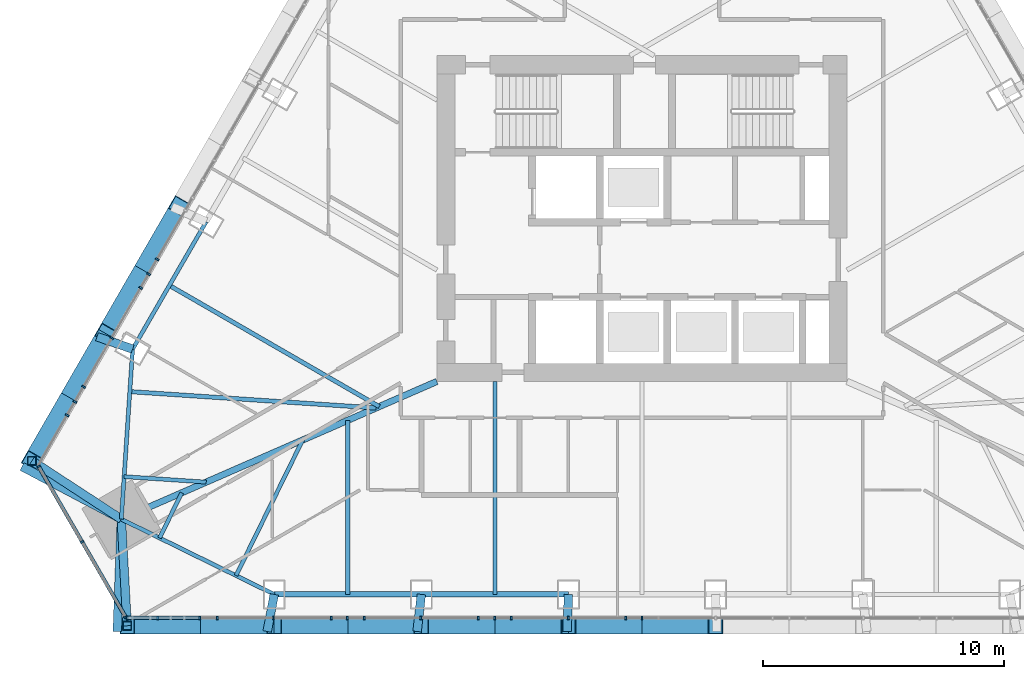
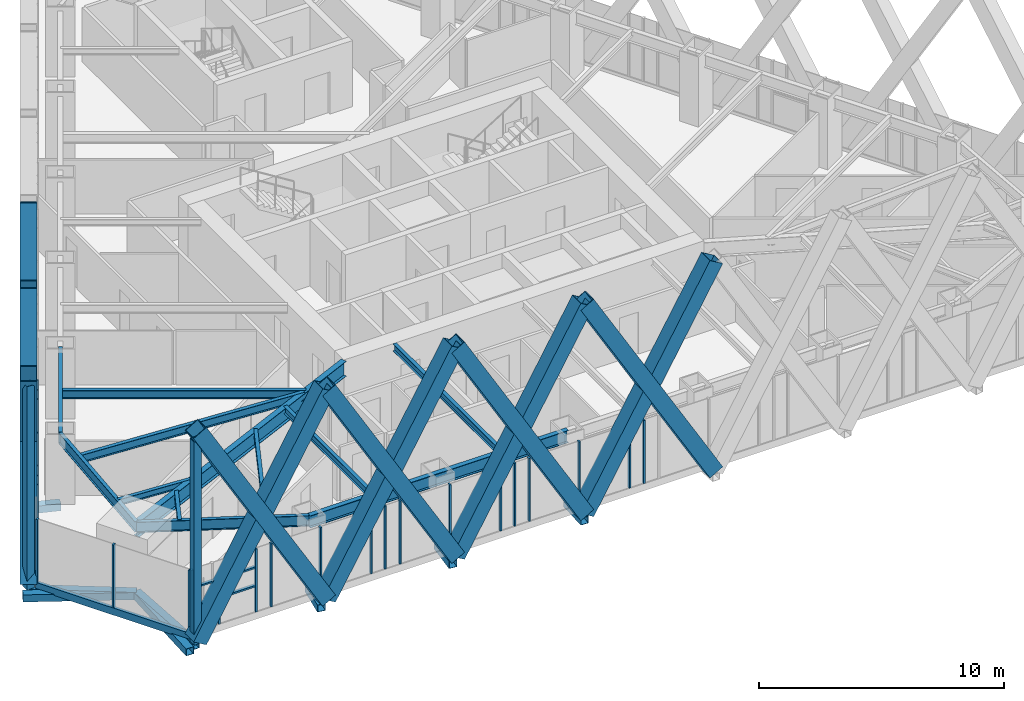
# One storey, part 2 of 23: 50 members, 12 beams, 3 elements without a shape of their own.
"""IFC4 building model written with IfcOpenShell, lengths in metres."""

import ifcopenshell
import ifcopenshell.guid

model = None  # the IFC model being written
_history = None  # IfcOwnerHistory: only IFC2X3 demands one
_inside = {}  # id of a spatial element -> (the spatial element, [elements in it])
_under = {}  # id of a project, library or spatial element -> (it, [spatial elements below it])
_declared = {}  # id of a project -> (the project, [libraries it declares])
_typed = {}  # id of a type object -> (the type object, [elements of that type])
_made_of = {}  # id of a material, layer set ... -> (it, [elements and type objects made of it])


def new_model(schema):
    """Start an empty IFC model of exactly this schema.

    Asked for "IFC4X3", IfcOpenShell would pick the latest addendum, in which some entities
    have other attributes; the version numbers below select the first issue.
    IFC2X3 requires an IfcOwnerHistory on every rooted entity: one is made here for all.
    """
    global model, _history
    if schema == "IFC4X3":
        model = ifcopenshell.file(schema_version=(4, 3, 0, 0))
    else:
        model = ifcopenshell.file(schema=schema)
    _inside.clear()
    _under.clear()
    _declared.clear()
    _typed.clear()
    _made_of.clear()
    _history = None
    if model.schema == "IFC2X3":
        org = make("IfcOrganization", Name="unknown")
        user = make(
            "IfcPersonAndOrganization",
            ThePerson=make("IfcPerson", FamilyName="unknown"),
            TheOrganization=org,
        )
        app = make(
            "IfcApplication",
            ApplicationDeveloper=org,
            Version="unknown",
            ApplicationFullName="unknown",
            ApplicationIdentifier="unknown",
        )
        _history = make(
            "IfcOwnerHistory",
            OwningUser=user,
            OwningApplication=app,
            ChangeAction="ADDED",
            CreationDate=0,
        )
    return model


def make(cls, **values):
    """One entity of the class cls with the attributes given. An attribute that is None is left unset."""
    return model.create_entity(
        cls, **{name: value for name, value in values.items() if value is not None}
    )


def rooted(cls, **values):
    """An entity with a GlobalId (a new one), such as an element, a storey or a relation."""
    return make(cls, GlobalId=ifcopenshell.guid.new(), OwnerHistory=_history, **values)


def si_unit(unit_type, name, prefix=None):
    """IfcSIUnit, for example si_unit("LENGTHUNIT", "METRE", prefix="MILLI")."""
    return make("IfcSIUnit", UnitType=unit_type, Prefix=prefix, Name=name)


def assignment(units):
    """IfcUnitAssignment: the units of a project."""
    return None if units is None else make("IfcUnitAssignment", Units=units)


def point(xyz):
    """IfcCartesianPoint."""
    return None if xyz is None else make("IfcCartesianPoint", Coordinates=xyz)


def direction(xyz):
    """IfcDirection."""
    return None if xyz is None else make("IfcDirection", DirectionRatios=xyz)


def frame(location, z_axis=None, x_axis=None):
    """IfcAxis2Placement3D, a coordinate frame: its origin and axes. An axis left out is left unset."""
    return make(
        "IfcAxis2Placement3D",
        Location=point(location),
        Axis=direction(z_axis),
        RefDirection=direction(x_axis),
    )


def frame_2d(location, x_axis=None):
    """IfcAxis2Placement2D, a coordinate frame in the plane: its origin and x axis."""
    return make(
        "IfcAxis2Placement2D", Location=point(location), RefDirection=direction(x_axis)
    )


def origin():
    """The frame at (0, 0, 0) with its axes left unset."""
    return frame((0.0, 0.0, 0.0))


def origin_2d():
    """The frame at (0, 0) in the plane with its x axis left unset."""
    return frame_2d((0.0, 0.0))


def place(relative_to, where):
    """IfcLocalPlacement: puts the frame where relative to a parent placement (None: the world)."""
    return make(
        "IfcLocalPlacement", PlacementRelTo=relative_to, RelativePlacement=where
    )


def context(
    kind, dimensions, precision=None, world=None, true_north=None, identifier=None
):
    """IfcGeometricRepresentationContext, for example the 3D "Model" context."""
    return make(
        "IfcGeometricRepresentationContext",
        ContextIdentifier=identifier,
        ContextType=kind,
        CoordinateSpaceDimension=dimensions,
        Precision=precision,
        WorldCoordinateSystem=world,
        TrueNorth=true_north,
    )


def subcontext(parent, identifier, kind, view, scale=None):
    """IfcGeometricRepresentationSubContext, for example "Body" below "Model"."""
    return make(
        "IfcGeometricRepresentationSubContext",
        ContextIdentifier=identifier,
        ContextType=kind,
        ParentContext=parent,
        TargetScale=scale,
        TargetView=view,
    )


def project(units=None, contexts=None):
    """IfcProject with its units and contexts."""
    return rooted(
        "IfcProject",
        Name="project",
        RepresentationContexts=contexts,
        UnitsInContext=assignment(units),
    )


def spatial(cls, under=None, at=None, **own):
    """A site, building, storey or space (cls), placed at a placement, below another one or the project."""
    s = rooted(cls, ObjectPlacement=at, **own)
    if under is not None:
        _under.setdefault(under.id(), (under, []))[1].append(s)
    return s


def profile(cls, at=None, kind="AREA", **sizes):
    """A parametric profile (cls). Its sizes go by their IFC names, for example OverallWidth=200.0."""
    return make(cls, ProfileType=kind, Position=at, **sizes)


def rectangle(**sizes):
    """IfcRectangleProfileDef."""
    return profile("IfcRectangleProfileDef", **sizes)


def hollow_rectangle(**sizes):
    """IfcRectangleHollowProfileDef."""
    return profile("IfcRectangleHollowProfileDef", **sizes)


def i_section(**sizes):
    """IfcIShapeProfileDef."""
    return profile("IfcIShapeProfileDef", **sizes)


def extrude(swept, where, along, depth):
    """IfcExtrudedAreaSolid: the profile swept, set in the frame where, extruded along a direction by depth."""
    return make(
        "IfcExtrudedAreaSolid",
        SweptArea=swept,
        Position=where,
        ExtrudedDirection=direction(along),
        Depth=depth,
    )


def shape(context_of_items, identifier, shape_type, items):
    """IfcShapeRepresentation: the items that make up one representation, for example the "Body"."""
    return make(
        "IfcShapeRepresentation",
        ContextOfItems=context_of_items,
        RepresentationIdentifier=identifier,
        RepresentationType=shape_type,
        Items=items,
    )


def material(Name=None, Category=None):
    """IfcMaterial."""
    return make("IfcMaterial", Name=Name, Category=Category)


def layer(
    of_material, thickness, ventilated=None, Name=None, Category=None, Priority=None
):
    """IfcMaterialLayer: one layer of a wall or slab, of a material (None: an air gap)."""
    return make(
        "IfcMaterialLayer",
        Material=of_material,
        LayerThickness=thickness,
        IsVentilated=ventilated,
        Name=Name,
        Category=Category,
        Priority=Priority,
    )


def layer_set(layers, Name=None):
    """IfcMaterialLayerSet."""
    return make("IfcMaterialLayerSet", MaterialLayers=layers, LayerSetName=Name)


def material_profile(
    of_material, cross_section, Name=None, Category=None, Priority=None
):
    """IfcMaterialProfile: a cross section and its material."""
    return make(
        "IfcMaterialProfile",
        Name=Name,
        Material=of_material,
        Profile=cross_section,
        Priority=Priority,
        Category=Category,
    )


def profile_set(profiles, Name=None, composite=None):
    """IfcMaterialProfileSet."""
    return make(
        "IfcMaterialProfileSet",
        Name=Name,
        MaterialProfiles=profiles,
        CompositeProfile=composite,
    )


def made_of(thing, what):
    """Note that an element or type object is made of a material, layer set ...; save() writes the relation."""
    if what is not None:
        _made_of.setdefault(what.id(), (what, []))[1].append(thing)
    return thing


def type_object(cls, material=None, **own):
    """A type object (cls), such as IfcWallType, which elements share."""
    return made_of(rooted(cls, **own), material)


def element(
    cls,
    number,
    at=None,
    inside=None,
    cuts=None,
    type_object=None,
    material=None,
    context=None,
    identifier="Body",
    shape_type=None,
    held_by="IfcProductDefinitionShape",
    body=None,
    shapes=None,
    **own,
):
    """One element of the class cls, such as IfcWall. Its Tag is "e" and its number.

    at: its placement. inside: the storey or other place that contains it. cuts: it is an
    opening in that element (IfcRelVoidsElement). A single representation is given by context,
    identifier, shape_type and body (its items); several are given by shapes. held_by: the class
    of the entity that holds the representations. save() writes the other relations.
    """
    e = rooted(cls, Tag="e%d" % number, ObjectPlacement=at, **own)
    if body is not None:
        shapes = [shape(context, identifier, shape_type, body)]
    if shapes is not None:
        e.Representation = make(held_by, Representations=shapes)
    if inside is not None:
        _inside.setdefault(inside.id(), (inside, []))[1].append(e)
    if cuts is not None:
        rooted(
            "IfcRelVoidsElement", RelatingBuildingElement=cuts, RelatedOpeningElement=e
        )
    if type_object is not None:
        _typed.setdefault(type_object.id(), (type_object, []))[1].append(e)
    return made_of(e, material)


def aggregate(whole, parts):
    """IfcRelAggregates: a whole, such as a stair, and the parts it consists of."""
    return rooted("IfcRelAggregates", RelatingObject=whole, RelatedObjects=parts)


def save(model, path):
    """Write the relations noted so far, then the file.

    IfcRelAggregates (storeys below a building ...), IfcRelContainedInSpatialStructure (elements
    in a storey), IfcRelDefinesByType, IfcRelAssociatesMaterial and IfcRelDeclares: one each for
    every whole, place, type object, material and project.
    """
    for whole, parts in _under.values():
        aggregate(whole, parts)
    for where, things in _inside.values():
        rooted(
            "IfcRelContainedInSpatialStructure",
            RelatedElements=things,
            RelatingStructure=where,
        )
    for kind, things in _typed.values():
        rooted("IfcRelDefinesByType", RelatedObjects=things, RelatingType=kind)
    for what, things in _made_of.values():
        rooted("IfcRelAssociatesMaterial", RelatedObjects=things, RelatingMaterial=what)
    for by, libraries in _declared.values():
        rooted("IfcRelDeclares", RelatingContext=by, RelatedDefinitions=libraries)
    model.write(path)


model = new_model("IFC4")

# Units and contexts
model_context = context("Model", 3, precision=1e-05, world=origin(), true_north=direction((0.0, 1.0)))
body_context = subcontext(model_context, "Body", "Model", "MODEL_VIEW")
ifc_project = project(units=[si_unit("LENGTHUNIT", "METRE"), si_unit("AREAUNIT", "SQUARE_METRE"), si_unit("VOLUMEUNIT", "CUBIC_METRE"), si_unit("PLANEANGLEUNIT", "RADIAN"), si_unit("MASSUNIT", "GRAM", prefix="KILO")], contexts=[model_context])

# Site, building, storey
site_placement = place(None, origin())
site = spatial("IfcSite", under=ifc_project, at=site_placement, CompositionType="ELEMENT")
building_placement = place(site_placement, origin())
building = spatial("IfcBuilding", under=site, at=building_placement, Name="Firuza Gate Tower and Library", CompositionType="ELEMENT")
storey_placement = place(building_placement, frame((0.0, 0.0, 302.10009765625)))
storey = spatial("IfcBuildingStorey", under=building, at=storey_placement, Name="L73", CompositionType="ELEMENT", Elevation=302.10009765625)

# Members
ifc_material_1 = material(Name="Steel S355", Category="steel")
ifc_material_profile_1 = material_profile(ifc_material_1, hollow_rectangle(XDim=0.699951171875, YDim=0.699951171875, WallThickness=0.030029296875, at=origin_2d()))
ifc_profile_set_1 = profile_set([ifc_material_profile_1], Name="Steel S355")
member_type_1 = type_object("IfcMemberType", Name="BU700x700x30 Lattice brace", PredefinedType="BRACE", material=ifc_profile_set_1)
for number, where, z_axis, x_axis, name in (
    (1, (53.6640625, 58.124755859375, 0.0), (0.502084580661, 0.0, 0.864818520768), (0.0, 1.0, 0.0), "Lattice brace S 19.1R"),
    (2, (59.760009765625, 58.124755859375, 0.0), (-0.502084580661, 0.0, 0.864818520768), (0.0, -1.0, 0.0), "Lattice brace S 19.1L"),
    (3, (59.760009765625, 58.124755859375, 0.0), (0.502084580661, 0.0, 0.864818520768), (0.0, 1.0, 0.0), "Lattice brace S 19.2R"),
    (4, (65.85595703125, 58.124755859375, 0.0), (-0.502084580661, 0.0, 0.864818520768), (0.0, -1.0, 0.0), "Lattice brace S 19.2L"),
    (5, (65.85595703125, 58.124755859375, 0.0), (0.502084580661, 0.0, 0.864818520768), (0.0, 1.0, 0.0), "Lattice brace S 19.3R"),
    (6, (71.951904296875, 58.124755859375, 0.0), (-0.502084580661, 0.0, 0.864818520768), (0.0, -1.0, 0.0), "Lattice brace S 19.3L"),
    (7, (71.951904296875, 58.124755859375, 0.0), (0.502099619666, 0.0, 0.864809789451), (0.0, 1.0, 0.0), "Lattice brace S 19.4R"),
    (8, (78.048095703125, 58.124755859375, 0.0), (-0.502099619666, 0.0, 0.864809789451), (0.0, -1.0, 0.0), "Lattice brace S 19.4L"),
    (9, (55.8134765625, 75.518798828125, 0.0), (-0.251032405124, -0.434822551138, 0.864819102818), (0.866036194175, -0.49998131003, 0.0), "Lattice brace W 19.6R"),
    (10, (52.765625, 70.239501953125, 0.0), (0.251032405124, 0.434822551138, 0.864819102818), (-0.866036194175, 0.49998131003, 0.0), "Lattice brace W 19.6L"),
    (11, (52.765625, 70.239501953125, 0.0), (-0.251051246141, -0.434820356151, 0.864814737206), (0.866018852375, -0.500011347202, 0.0), "Lattice brace W 19.7R"),
    (12, (49.717529296875, 64.960205078125, 0.0), (0.251051246141, 0.434820356151, 0.864814737206), (-0.866018852375, 0.500011347202, 0.0), "Lattice brace W 19.7L"),
):
    element("IfcMember", number, at=place(storey_placement, frame(where, z_axis=z_axis, x_axis=x_axis)), inside=storey, type_object=member_type_1, Name=name, PredefinedType="BRACE", context=body_context, shape_type="SweptSolid", body=[
        extrude(hollow_rectangle(XDim=0.699951171875, YDim=0.699951171875, WallThickness=0.030029296875, at=origin_2d()), origin(), (0.0, 0.0, 1.0), 12.141357421875),
    ])

# Curtain wall, members
ifc_material_2 = material(Name="Aluminium 6063-T6", Category="aluminium")
ifc_layer_1 = layer(ifc_material_2, 0.14990234375)
ifc_layer_set_1 = layer_set([ifc_layer_1], Name="Unitised curtain wall, residences")
curtain_wall_type_1 = type_object("IfcCurtainWallType", Name="Unitised curtain wall, residences", PredefinedType="NOTDEFINED", material=ifc_layer_set_1)
placement = place(storey_placement, origin())
curtain_wall_1 = element("IfcCurtainWall", 13, at=placement, inside=storey, type_object=curtain_wall_type_1, Name="CW3 L73 S face", PredefinedType="NOTDEFINED")
ifc_material_3 = material(Name="Aluminium 6063-T6", Category="aluminium")
ifc_material_profile_2 = material_profile(ifc_material_3, rectangle(XDim=0.14990234375, YDim=0.080078125, at=origin_2d()))
ifc_profile_set_2 = profile_set([ifc_material_profile_2], Name="Aluminium 6063-T6")
member_type_2 = type_object("IfcMemberType", Name="Curtain wall mullion 80x150", PredefinedType="MULLION", material=ifc_profile_set_2)
member_1_placement = place(storey_placement, frame((53.66064453125, 58.44970703125, 0.14990234375), z_axis=(0.0, 0.0, 1.0), x_axis=(0.0, 1.0, 0.0)))
member_1 = element("IfcMember", 14, at=member_1_placement, type_object=member_type_2, Name="Mullion", PredefinedType="MULLION", context=body_context, shape_type="SweptSolid", body=[
    extrude(rectangle(XDim=0.14990234375, YDim=0.080078125, at=origin_2d()), origin(), (0.0, 0.0, 1.0), 3.14990234375),
])
member_2_placement = place(storey_placement, frame((56.6748046875, 58.44970703125, 0.14990234375), z_axis=(0.0, 0.0, 1.0), x_axis=(0.0, 1.0, 0.0)))
member_2 = element("IfcMember", 15, at=member_2_placement, type_object=member_type_2, Name="Mullion", PredefinedType="MULLION", context=body_context, shape_type="SweptSolid", body=[
    extrude(rectangle(XDim=0.14990234375, YDim=0.080078125, at=origin_2d()), origin(), (0.0, 0.0, 1.0), 3.14990234375),
])
member_3_placement = place(storey_placement, frame((59.72900390625, 58.44970703125, 0.14990234375), z_axis=(0.0, 0.0, 1.0), x_axis=(0.0, 1.0, 0.0)))
member_3 = element("IfcMember", 16, at=member_3_placement, type_object=member_type_2, Name="Mullion", PredefinedType="MULLION", context=body_context, shape_type="SweptSolid", body=[
    extrude(rectangle(XDim=0.14990234375, YDim=0.080078125, at=origin_2d()), origin(), (0.0, 0.0, 1.0), 3.14990234375),
])
member_4_placement = place(storey_placement, frame((62.783203125, 58.44970703125, 0.14990234375), z_axis=(0.0, 0.0, 1.0), x_axis=(0.0, 1.0, 0.0)))
member_4 = element("IfcMember", 17, at=member_4_placement, type_object=member_type_2, Name="Mullion", PredefinedType="MULLION", context=body_context, shape_type="SweptSolid", body=[
    extrude(rectangle(XDim=0.14990234375, YDim=0.080078125, at=origin_2d()), origin(), (0.0, 0.0, 1.0), 3.14990234375),
])
member_5_placement = place(storey_placement, frame((65.83740234375, 58.44970703125, 0.14990234375), z_axis=(0.0, 0.0, 1.0), x_axis=(0.0, 1.0, 0.0)))
member_5 = element("IfcMember", 18, at=member_5_placement, type_object=member_type_2, Name="Mullion", PredefinedType="MULLION", context=body_context, shape_type="SweptSolid", body=[
    extrude(rectangle(XDim=0.14990234375, YDim=0.080078125, at=origin_2d()), origin(), (0.0, 0.0, 1.0), 3.14990234375),
])
member_6_placement = place(storey_placement, frame((68.8916015625, 58.44970703125, 0.14990234375), z_axis=(0.0, 0.0, 1.0), x_axis=(0.0, 1.0, 0.0)))
member_6 = element("IfcMember", 19, at=member_6_placement, type_object=member_type_2, Name="Mullion", PredefinedType="MULLION", context=body_context, shape_type="SweptSolid", body=[
    extrude(rectangle(XDim=0.14990234375, YDim=0.080078125, at=origin_2d()), origin(), (0.0, 0.0, 1.0), 3.14990234375),
])
member_7_placement = place(storey_placement, frame((71.94580078125, 58.44970703125, 0.14990234375), z_axis=(0.0, 0.0, 1.0), x_axis=(0.0, 1.0, 0.0)))
member_7 = element("IfcMember", 20, at=member_7_placement, type_object=member_type_2, Name="Mullion", PredefinedType="MULLION", context=body_context, shape_type="SweptSolid", body=[
    extrude(rectangle(XDim=0.14990234375, YDim=0.080078125, at=origin_2d()), origin(), (0.0, 0.0, 1.0), 3.14990234375),
])
member_8_placement = place(storey_placement, frame((75.0, 58.44970703125, 0.14990234375), z_axis=(0.0, 0.0, 1.0), x_axis=(0.0, 1.0, 0.0)))
member_8 = element("IfcMember", 21, at=member_8_placement, type_object=member_type_2, Name="Mullion", PredefinedType="MULLION", context=body_context, shape_type="SweptSolid", body=[
    extrude(rectangle(XDim=0.14990234375, YDim=0.080078125, at=origin_2d()), origin(), (0.0, 0.0, 1.0), 3.14990234375),
])
member_9_placement = place(storey_placement, frame((54.932373046875, 58.44970703125, 0.14990234375), z_axis=(0.0, 0.0, 1.0), x_axis=(0.0, 1.0, 0.0)))
member_9 = element("IfcMember", 22, at=member_9_placement, type_object=member_type_2, Name="Mullion", PredefinedType="MULLION", context=body_context, shape_type="SweptSolid", body=[
    extrude(rectangle(XDim=0.14990234375, YDim=0.080078125, at=origin_2d()), origin(), (0.0, 0.0, 1.0), 1.260009765625),
])
member_10_placement = place(storey_placement, frame((57.394287109375, 58.44970703125, 0.14990234375), z_axis=(0.0, 0.0, 1.0), x_axis=(0.0, 1.0, 0.0)))
member_10 = element("IfcMember", 23, at=member_10_placement, type_object=member_type_2, Name="Mullion", PredefinedType="MULLION", context=body_context, shape_type="SweptSolid", body=[
    extrude(rectangle(XDim=0.14990234375, YDim=0.080078125, at=origin_2d()), origin(), (0.0, 0.0, 1.0), 3.14990234375),
])
member_11_placement = place(storey_placement, frame((62.12548828125, 58.44970703125, 0.14990234375), z_axis=(0.0, 0.0, 1.0), x_axis=(0.0, 1.0, 0.0)))
member_11 = element("IfcMember", 24, at=member_11_placement, type_object=member_type_2, Name="Mullion", PredefinedType="MULLION", context=body_context, shape_type="SweptSolid", body=[
    extrude(rectangle(XDim=0.14990234375, YDim=0.080078125, at=origin_2d()), origin(), (0.0, 0.0, 1.0), 3.14990234375),
])
member_12_placement = place(storey_placement, frame((63.490478515625, 58.44970703125, 0.14990234375), z_axis=(0.0, 0.0, 1.0), x_axis=(0.0, 1.0, 0.0)))
member_12 = element("IfcMember", 25, at=member_12_placement, type_object=member_type_2, Name="Mullion", PredefinedType="MULLION", context=body_context, shape_type="SweptSolid", body=[
    extrude(rectangle(XDim=0.14990234375, YDim=0.080078125, at=origin_2d()), origin(), (0.0, 0.0, 1.0), 3.14990234375),
])
member_13_placement = place(storey_placement, frame((68.2216796875, 58.44970703125, 0.14990234375), z_axis=(0.0, 0.0, 1.0), x_axis=(0.0, 1.0, 0.0)))
member_13 = element("IfcMember", 26, at=member_13_placement, type_object=member_type_2, Name="Mullion", PredefinedType="MULLION", context=body_context, shape_type="SweptSolid", body=[
    extrude(rectangle(XDim=0.14990234375, YDim=0.080078125, at=origin_2d()), origin(), (0.0, 0.0, 1.0), 3.14990234375),
])
member_14_placement = place(storey_placement, frame((69.58642578125, 58.44970703125, 0.14990234375), z_axis=(0.0, 0.0, 1.0), x_axis=(0.0, 1.0, 0.0)))
member_14 = element("IfcMember", 27, at=member_14_placement, type_object=member_type_2, Name="Mullion", PredefinedType="MULLION", context=body_context, shape_type="SweptSolid", body=[
    extrude(rectangle(XDim=0.14990234375, YDim=0.080078125, at=origin_2d()), origin(), (0.0, 0.0, 1.0), 3.14990234375),
])
member_15_placement = place(storey_placement, frame((74.317626953125, 58.44970703125, 0.14990234375), z_axis=(0.0, 0.0, 1.0), x_axis=(0.0, 1.0, 0.0)))
member_15 = element("IfcMember", 28, at=member_15_placement, type_object=member_type_2, Name="Mullion", PredefinedType="MULLION", context=body_context, shape_type="SweptSolid", body=[
    extrude(rectangle(XDim=0.14990234375, YDim=0.080078125, at=origin_2d()), origin(), (0.0, 0.0, 1.0), 3.14990234375),
])

curtain_wall_2 = element("IfcCurtainWall", 29, at=placement, inside=storey, type_object=curtain_wall_type_1, Name="CW3 L73 W face", PredefinedType="NOTDEFINED")
member_16_placement = place(storey_placement, frame((54.55859375, 72.695068359375, 0.14990234375), z_axis=(0.0, 0.0, 1.0), x_axis=(0.866025403784, -0.5, 0.0)))
member_16 = element("IfcMember", 30, at=member_16_placement, type_object=member_type_2, Name="Mullion", PredefinedType="MULLION", context=body_context, shape_type="SweptSolid", body=[
    extrude(rectangle(XDim=0.14990234375, YDim=0.080078125, at=origin_2d()), origin(), (0.0, 0.0, 1.0), 3.14990234375),
])
member_17_placement = place(storey_placement, frame((53.031494140625, 70.050048828125, 0.14990234375), z_axis=(0.0, 0.0, 1.0), x_axis=(0.866025403784, -0.5, 0.0)))
member_17 = element("IfcMember", 31, at=member_17_placement, type_object=member_type_2, Name="Mullion", PredefinedType="MULLION", context=body_context, shape_type="SweptSolid", body=[
    extrude(rectangle(XDim=0.14990234375, YDim=0.080078125, at=origin_2d()), origin(), (0.0, 0.0, 1.0), 3.14990234375),
])
member_18_placement = place(storey_placement, frame((51.50439453125, 67.405029296875, 0.14990234375), z_axis=(0.0, 0.0, 1.0), x_axis=(0.866025403784, -0.5, 0.0)))
member_18 = element("IfcMember", 32, at=member_18_placement, type_object=member_type_2, Name="Mullion", PredefinedType="MULLION", context=body_context, shape_type="SweptSolid", body=[
    extrude(rectangle(XDim=0.14990234375, YDim=0.080078125, at=origin_2d()), origin(), (0.0, 0.0, 1.0), 3.14990234375),
])
member_19_placement = place(storey_placement, frame((54.912353515625, 73.3076171875, 0.14990234375), z_axis=(0.0, 0.0, 1.0), x_axis=(0.866025403784, -0.5, 0.0)))
member_19 = element("IfcMember", 33, at=member_19_placement, type_object=member_type_2, Name="Mullion", PredefinedType="MULLION", context=body_context, shape_type="SweptSolid", body=[
    extrude(rectangle(XDim=0.14990234375, YDim=0.080078125, at=origin_2d()), origin(), (0.0, 0.0, 1.0), 3.14990234375),
])
member_20_placement = place(storey_placement, frame((54.229736328125, 72.12548828125, 0.14990234375), z_axis=(0.0, 0.0, 1.0), x_axis=(0.866025403784, -0.5, 0.0)))
member_20 = element("IfcMember", 34, at=member_20_placement, type_object=member_type_2, Name="Mullion", PredefinedType="MULLION", context=body_context, shape_type="SweptSolid", body=[
    extrude(rectangle(XDim=0.14990234375, YDim=0.080078125, at=origin_2d()), origin(), (0.0, 0.0, 1.0), 3.14990234375),
])
member_21_placement = place(storey_placement, frame((51.8642578125, 68.0283203125, 0.14990234375), z_axis=(0.0, 0.0, 1.0), x_axis=(0.866025403784, -0.5, 0.0)))
member_21 = element("IfcMember", 35, at=member_21_placement, type_object=member_type_2, Name="Mullion", PredefinedType="MULLION", context=body_context, shape_type="SweptSolid", body=[
    extrude(rectangle(XDim=0.14990234375, YDim=0.080078125, at=origin_2d()), origin(), (0.0, 0.0, 1.0), 3.14990234375),
])
member_22_placement = place(storey_placement, frame((51.181884765625, 66.84619140625, 0.14990234375), z_axis=(0.0, 0.0, 1.0), x_axis=(0.866025403784, -0.5, 0.0)))
member_22 = element("IfcMember", 36, at=member_22_placement, type_object=member_type_2, Name="Mullion", PredefinedType="MULLION", context=body_context, shape_type="SweptSolid", body=[
    extrude(rectangle(XDim=0.14990234375, YDim=0.080078125, at=origin_2d()), origin(), (0.0, 0.0, 1.0), 3.14990234375),
])
aggregate(curtain_wall_2, [member_16, member_17, member_18, member_19, member_20, member_21, member_22])

ifc_material_4 = material(Name="Aluminium 6063-T6", Category="aluminium")
ifc_layer_2 = layer(ifc_material_4, 0.14990234375)
ifc_layer_set_2 = layer_set([ifc_layer_2], Name="Corner curtain wall, chamfers")
curtain_wall_type_2 = type_object("IfcCurtainWallType", Name="Corner curtain wall, chamfers", PredefinedType="NOTDEFINED", material=ifc_layer_set_2)
curtain_wall_3 = element("IfcCurtainWall", 37, at=placement, inside=storey, type_object=curtain_wall_type_2, Name="CW4 L73 SW corner", PredefinedType="NOTDEFINED")
member_23_placement = place(storey_placement, frame((49.997314453125, 64.7255859375, 0.14990234375), z_axis=(0.0, 0.0, 1.0), x_axis=(0.866025403784, 0.5, 0.0)))
member_23 = element("IfcMember", 38, at=member_23_placement, type_object=member_type_2, Name="Mullion", PredefinedType="MULLION", context=body_context, shape_type="SweptSolid", body=[
    extrude(rectangle(XDim=0.14990234375, YDim=0.080078125, at=origin_2d()), origin(), (0.0, 0.0, 1.0), 3.14990234375),
])
member_24_placement = place(storey_placement, frame((51.799072265625, 61.60498046875, 0.14990234375), z_axis=(0.0, 0.0, 1.0), x_axis=(0.866025403784, 0.5, 0.0)))
member_24 = element("IfcMember", 39, at=member_24_placement, type_object=member_type_2, Name="Mullion", PredefinedType="MULLION", context=body_context, shape_type="SweptSolid", body=[
    extrude(rectangle(XDim=0.14990234375, YDim=0.080078125, at=origin_2d()), origin(), (0.0, 0.0, 1.0), 3.14990234375),
])
member_25_placement = place(storey_placement, frame((53.6005859375, 58.484375, 0.14990234375), z_axis=(0.0, 0.0, 1.0), x_axis=(0.866025403784, 0.5, 0.0)))
member_25 = element("IfcMember", 40, at=member_25_placement, type_object=member_type_2, Name="Mullion", PredefinedType="MULLION", context=body_context, shape_type="SweptSolid", body=[
    extrude(rectangle(XDim=0.14990234375, YDim=0.080078125, at=origin_2d()), origin(), (0.0, 0.0, 1.0), 3.14990234375),
])
ifc_material_5 = material(Name="Aluminium 6063-T6", Category="aluminium")
ifc_material_profile_3 = material_profile(ifc_material_5, rectangle(XDim=0.14990234375, YDim=0.35009765625, at=origin_2d()))
ifc_profile_set_3 = profile_set([ifc_material_profile_3], Name="Aluminium 6063-T6")
member_type_3 = type_object("IfcMemberType", Name="Curtain wall transom 350x150", PredefinedType="USERDEFINED", material=ifc_profile_set_3)
member_26_placement = place(storey_placement, frame((49.977294921875, 64.760009765625, -0.025146484375), z_axis=(0.500005719219, -0.866022101766, 0.0), x_axis=(0.866022101766, 0.500005719219, 0.0)))
member_26 = element("IfcMember", 41, at=member_26_placement, type_object=member_type_3, Name="Transom", ObjectType="TRANSOM", PredefinedType="USERDEFINED", context=body_context, shape_type="SweptSolid", body=[
    extrude(rectangle(XDim=0.14990234375, YDim=0.35009765625, at=origin_2d()), origin(), (0.0, 0.0, 1.0), 7.28662109375),
])
aggregate(curtain_wall_3, [member_23, member_24, member_25, member_26])

# Member
ifc_material_6 = material(Name="Aluminium 6063-T6", Category="aluminium")
ifc_material_profile_4 = material_profile(ifc_material_6, rectangle(XDim=0.14990234375, YDim=0.080078125, at=origin_2d()))
ifc_profile_set_4 = profile_set([ifc_material_profile_4], Name="Aluminium 6063-T6")
member_type_4 = type_object("IfcMemberType", Name="Curtain wall transom 80x150", PredefinedType="USERDEFINED", material=ifc_profile_set_4)
member_27_placement = place(storey_placement, frame((53.66064453125, 58.44970703125, 1.449951171875), z_axis=(1.0, 0.0, 0.0), x_axis=(0.0, 1.0, 0.0)))
member_27 = element("IfcMember", 42, at=member_27_placement, type_object=member_type_4, Name="Transom", ObjectType="TRANSOM", PredefinedType="USERDEFINED", context=body_context, shape_type="SweptSolid", body=[
    extrude(rectangle(XDim=0.14990234375, YDim=0.080078125, at=origin_2d()), origin(), (0.0, 0.0, 1.0), 2.97412109375),
])

member_28_placement = place(storey_placement, frame((53.66064453125, 58.44970703125, 2.375), z_axis=(1.0, 0.0, 0.0), x_axis=(0.0, 1.0, 0.0)))
member_28 = element("IfcMember", 43, at=member_28_placement, type_object=member_type_4, Name="Transom", ObjectType="TRANSOM", PredefinedType="USERDEFINED", context=body_context, shape_type="SweptSolid", body=[
    extrude(rectangle(XDim=0.14990234375, YDim=0.080078125, at=origin_2d()), origin(), (0.0, 0.0, 1.0), 2.97412109375),
])

aggregate(curtain_wall_1, [member_1, member_2, member_3, member_4, member_5, member_6, member_7, member_8, member_9, member_27, member_28, member_10, member_11, member_12, member_13, member_14, member_15])

# Members
ifc_material_7 = material(Name="Steel S355", Category="steel")
ifc_material_profile_5 = material_profile(ifc_material_7, hollow_rectangle(XDim=0.355712890625, YDim=0.355712890625, WallThickness=0.014892578125, at=origin_2d()))
ifc_profile_set_5 = profile_set([ifc_material_profile_5], Name="Steel S355")
member_type_5 = type_object("IfcMemberType", Name="HSS356x356x16 Lattice corner stile", PredefinedType="BRACE", material=ifc_profile_set_5)
for number, where, z_axis, x_axis, name in (
    (44, (53.6640625, 58.124755859375, -0.14013671875), (0.0, 0.0, 1.0), (1.0, 0.0, 0.0), "Lattice corner stile S 19.A"),
    (45, (49.717529296875, 64.960205078125, -0.14013671875), (0.0, 0.0, 1.0), (1.0, 0.0, 0.0), "Lattice corner stile W 19.B"),
):
    element("IfcMember", number, at=place(storey_placement, frame(where, z_axis=z_axis, x_axis=x_axis)), inside=storey, type_object=member_type_5, Name=name, PredefinedType="BRACE", context=body_context, shape_type="SweptSolid", body=[
        extrude(hollow_rectangle(XDim=0.355712890625, YDim=0.355712890625, WallThickness=0.014892578125, at=origin_2d()), origin(), (0.0, 0.0, 1.0), 10.14013671875),
    ])
ifc_material_8 = material(Name="Steel S355", Category="steel")
ifc_material_profile_6 = material_profile(ifc_material_8, hollow_rectangle(XDim=0.355712890625, YDim=0.355712890625, WallThickness=0.014892578125, at=origin_2d()))
ifc_profile_set_6 = profile_set([ifc_material_profile_6], Name="Steel S355")
member_type_6 = type_object("IfcMemberType", Name="HSS356x356x16 Lattice node tie", PredefinedType="BRACE", material=ifc_profile_set_6)
member_29_placement = place(storey_placement, frame((53.4228515625, 62.54248046875, -0.320068359375), z_axis=(-0.036375784036, -0.999338182166, 0.0), x_axis=(0.999338182166, -0.036375784036, 0.0)))
element("IfcMember", 46, at=member_29_placement, inside=storey, type_object=member_type_6, Name="Lattice node tie S L73 509", PredefinedType="BRACE", context=body_context, shape_type="SweptSolid", body=[
    extrude(hollow_rectangle(XDim=0.355712890625, YDim=0.355712890625, WallThickness=0.014892578125, at=origin_2d()), origin(), (0.0, 0.0, 1.0), 4.657958984375),
])
member_30_placement = place(storey_placement, frame((53.4228515625, 62.54248046875, -0.320068359375), z_axis=(0.054519511079, -0.998512705433, 0.0), x_axis=(0.998512705433, 0.054519511079, 0.0)))
element("IfcMember", 47, at=member_30_placement, inside=storey, type_object=member_type_6, Name="Lattice node tie S L73 510", PredefinedType="BRACE", context=body_context, shape_type="SweptSolid", body=[
    extrude(hollow_rectangle(XDim=0.355712890625, YDim=0.355712890625, WallThickness=0.014892578125, at=origin_2d()), origin(), (0.0, 0.0, 1.0), 4.42431640625),
])
member_31_placement = place(storey_placement, frame((59.760009765625, 59.4248046875, -0.320068359375), z_axis=(-0.187527898809, -0.982259276957, 0.0), x_axis=(0.982259276957, -0.187527898809, 0.0)))
element("IfcMember", 48, at=member_31_placement, inside=storey, type_object=member_type_6, Name="Lattice node tie S L73 511", PredefinedType="BRACE", context=body_context, shape_type="SweptSolid", body=[
    extrude(hollow_rectangle(XDim=0.355712890625, YDim=0.355712890625, WallThickness=0.014892578125, at=origin_2d()), origin(), (0.0, 0.0, 1.0), 1.56494140625),
])
member_32_placement = place(storey_placement, frame((65.85595703125, 59.4248046875, -0.320068359375), z_axis=(-0.113773560322, -0.993506707059, 0.0), x_axis=(0.993506707059, -0.113773560322, 0.0)))
element("IfcMember", 49, at=member_32_placement, inside=storey, type_object=member_type_6, Name="Lattice node tie S L73 512", PredefinedType="BRACE", context=body_context, shape_type="SweptSolid", body=[
    extrude(hollow_rectangle(XDim=0.355712890625, YDim=0.355712890625, WallThickness=0.014892578125, at=origin_2d()), origin(), (0.0, 0.0, 1.0), 1.547119140625),
])
member_33_placement = place(storey_placement, frame((71.951904296875, 59.4248046875, -0.320068359375), z_axis=(-0.038091775538, -0.999274244958, 0.0), x_axis=(0.999274244958, -0.038091775538, 0.0)))
element("IfcMember", 50, at=member_33_placement, inside=storey, type_object=member_type_6, Name="Lattice node tie S L73 513", PredefinedType="BRACE", context=body_context, shape_type="SweptSolid", body=[
    extrude(hollow_rectangle(XDim=0.355712890625, YDim=0.355712890625, WallThickness=0.014892578125, at=origin_2d()), origin(), (0.0, 0.0, 1.0), 1.538330078125),
])
member_34_placement = place(storey_placement, frame((53.4228515625, 62.54248046875, -0.320068359375), z_axis=(-0.883665489861, 0.468118897322, 0.0), x_axis=(-0.468118897322, -0.883665489861, 0.0)))
element("IfcMember", 51, at=member_34_placement, inside=storey, type_object=member_type_6, Name="Lattice node tie W L73 519", PredefinedType="BRACE", context=body_context, shape_type="SweptSolid", body=[
    extrude(hollow_rectangle(XDim=0.355712890625, YDim=0.355712890625, WallThickness=0.014892578125, at=origin_2d()), origin(), (0.0, 0.0, 1.0), 4.65771484375),
])
member_35_placement = place(storey_placement, frame((53.4228515625, 62.54248046875, -0.320068359375), z_axis=(-0.837485429113, 0.546459656355, 0.0), x_axis=(-0.546459656355, -0.837485429113, 0.0)))
element("IfcMember", 52, at=member_35_placement, inside=storey, type_object=member_type_6, Name="Lattice node tie W L73 520", PredefinedType="BRACE", context=body_context, shape_type="SweptSolid", body=[
    extrude(hollow_rectangle(XDim=0.355712890625, YDim=0.355712890625, WallThickness=0.014892578125, at=origin_2d()), origin(), (0.0, 0.0, 1.0), 4.42431640625),
])
member_36_placement = place(storey_placement, frame((53.891357421875, 69.58935546875, -0.320068359375), z_axis=(-0.944370440035, 0.328883675466, 0.0), x_axis=(-0.328883675466, -0.944370440035, 0.0)))
element("IfcMember", 53, at=member_36_placement, inside=storey, type_object=member_type_6, Name="Lattice node tie W L73 521", PredefinedType="BRACE", context=body_context, shape_type="SweptSolid", body=[
    extrude(hollow_rectangle(XDim=0.355712890625, YDim=0.355712890625, WallThickness=0.014892578125, at=origin_2d()), origin(), (0.0, 0.0, 1.0), 1.56494140625),
])

# Beams
ifc_material_9 = material(Name="Steel S355", Category="steel")
ifc_material_profile_7 = material_profile(ifc_material_9, i_section(OverallWidth=0.1650390625, OverallDepth=0.31005859375, WebThickness=0.005859375, FlangeThickness=0.009765625, at=origin_2d()))
ifc_profile_set_7 = profile_set([ifc_material_profile_7], Name="Steel S355")
beam_type_1 = type_object("IfcBeamType", Name="W310x39 Floor beam", PredefinedType="JOIST", material=ifc_profile_set_7)
beam_1_placement = place(storey_placement, frame((53.5400390625, 64.30419921875, 3.14501953125), z_axis=(0.997798132609, -0.066324102419, 0.0), x_axis=(0.066324102419, 0.997798132609, 0.0)))
element("IfcBeam", 54, at=beam_1_placement, inside=storey, type_object=beam_type_1, Name="Floor beam L73 s01", PredefinedType="JOIST", context=body_context, shape_type="SweptSolid", body=[
    extrude(i_section(OverallWidth=0.1650390625, OverallDepth=0.31005859375, WebThickness=0.005859375, FlangeThickness=0.009765625, at=origin_2d()), origin(), (0.0, 0.0, 1.0), 3.40869140625),
])
beam_2_placement = place(storey_placement, frame((55.007080078125, 61.762939453125, 3.14501953125), z_axis=(0.44149718948, 0.8972626325, 0.0), x_axis=(-0.8972626325, 0.44149718948, 0.0)))
element("IfcBeam", 55, at=beam_2_placement, inside=storey, type_object=beam_type_1, Name="Floor beam L73 s10", PredefinedType="JOIST", context=body_context, shape_type="SweptSolid", body=[
    extrude(i_section(OverallWidth=0.1650390625, OverallDepth=0.31005859375, WebThickness=0.005859375, FlangeThickness=0.009765625, at=origin_2d()), origin(), (0.0, 0.0, 1.0), 2.08740234375),
])
beam_3_placement = place(storey_placement, frame((58.17578125, 60.2041015625, 3.14501953125), z_axis=(0.44141897367, 0.897301114278, 0.0), x_axis=(-0.897301114278, 0.44141897367, 0.0)))
element("IfcBeam", 56, at=beam_3_placement, inside=storey, type_object=beam_type_1, Name="Floor beam L73 s11", PredefinedType="JOIST", context=body_context, shape_type="SweptSolid", body=[
    extrude(i_section(OverallWidth=0.1650390625, OverallDepth=0.31005859375, WebThickness=0.005859375, FlangeThickness=0.009765625, at=origin_2d()), origin(), (0.0, 0.0, 1.0), 6.262451171875),
])
ifc_material_10 = material(Name="Steel S355", Category="steel")
ifc_material_profile_8 = material_profile(ifc_material_10, i_section(OverallWidth=0.1708984375, OverallDepth=0.35498046875, WebThickness=0.007080078125, FlangeThickness=0.01171875, at=origin_2d()))
ifc_profile_set_8 = profile_set([ifc_material_profile_8], Name="Steel S355")
beam_type_2 = type_object("IfcBeamType", Name="W360x51 Floor beam", PredefinedType="JOIST", material=ifc_profile_set_8)
beam_4_placement = place(storey_placement, frame((62.80810546875, 59.4248046875, 3.122314453125), z_axis=(0.0, 1.0, 0.0), x_axis=(-1.0, 0.0, 0.0)))
element("IfcBeam", 57, at=beam_4_placement, inside=storey, type_object=beam_type_2, Name="Floor beam L73 s20", PredefinedType="JOIST", context=body_context, shape_type="SweptSolid", body=[
    extrude(i_section(OverallWidth=0.1708984375, OverallDepth=0.35498046875, WebThickness=0.007080078125, FlangeThickness=0.01171875, at=origin_2d()), origin(), (0.0, 0.0, 1.0), 7.2138671875),
])
beam_5_placement = place(storey_placement, frame((68.904052734375, 59.4248046875, 3.122314453125), z_axis=(0.0, 1.0, 0.0), x_axis=(-1.0, 0.0, 0.0)))
element("IfcBeam", 58, at=beam_5_placement, inside=storey, type_object=beam_type_2, Name="Floor beam L73 s21", PredefinedType="JOIST", context=body_context, shape_type="SweptSolid", body=[
    extrude(i_section(OverallWidth=0.1708984375, OverallDepth=0.35498046875, WebThickness=0.007080078125, FlangeThickness=0.01171875, at=origin_2d()), origin(), (0.0, 0.0, 1.0), 8.8251953125),
])
ifc_material_11 = material(Name="Steel S355", Category="steel")
ifc_material_profile_9 = material_profile(ifc_material_11, i_section(OverallWidth=0.177978515625, OverallDepth=0.406982421875, WebThickness=0.0078125, FlangeThickness=0.0126953125, at=origin_2d()))
ifc_profile_set_9 = profile_set([ifc_material_profile_9], Name="Steel S355")
beam_type_3 = type_object("IfcBeamType", Name="W410x60 Floor beam", PredefinedType="JOIST", material=ifc_profile_set_9)
beam_6_placement = place(storey_placement, frame((53.774169921875, 67.82763671875, 3.096435546875), z_axis=(0.997796657436, -0.066346291597, 0.0), x_axis=(0.066346291597, 0.997796657436, 0.0)))
element("IfcBeam", 59, at=beam_6_placement, inside=storey, type_object=beam_type_3, Name="Floor beam L73 s00", PredefinedType="JOIST", context=body_context, shape_type="SweptSolid", body=[
    extrude(i_section(OverallWidth=0.177978515625, OverallDepth=0.406982421875, WebThickness=0.0078125, FlangeThickness=0.0126953125, at=origin_2d()), origin(), (0.0, 0.0, 1.0), 10.22607421875),
])
beam_7_placement = place(storey_placement, frame((55.41552734375, 72.22900390625, 3.096435546875), z_axis=(0.866029312411, -0.499993229999, 0.0), x_axis=(0.499993229999, 0.866029312411, 0.0)))
element("IfcBeam", 60, at=beam_7_placement, inside=storey, type_object=beam_type_3, Name="Floor beam L73 s84", PredefinedType="JOIST", context=body_context, shape_type="SweptSolid", body=[
    extrude(i_section(OverallWidth=0.177978515625, OverallDepth=0.406982421875, WebThickness=0.0078125, FlangeThickness=0.0126953125, at=origin_2d()), origin(), (0.0, 0.0, 1.0), 10.042236328125),
])
ifc_material_12 = material(Name="Steel S355", Category="steel")
ifc_material_profile_10 = material_profile(ifc_material_12, i_section(OverallWidth=0.166015625, OverallDepth=0.534912109375, WebThickness=0.01025390625, FlangeThickness=0.0166015625, at=origin_2d()))
ifc_profile_set_10 = profile_set([ifc_material_profile_10], Name="Steel S355")
beam_type_4 = type_object("IfcBeamType", Name="W530x85 Edge beam", PredefinedType="SPANDREL", material=ifc_profile_set_10)
for number, where, z_axis, x_axis, name in (
    (61, (53.891357421875, 69.58935546875, 3.032470703125), (-0.066337752051, -0.997797225218, 0.0), (0.997797225218, -0.066337752051, 0.0), "Edge beam L73 e00"),
    (62, (53.4228515625, 62.54248046875, 3.032470703125), (0.897291608696, -0.44143829576, 0.0), (0.44143829576, 0.897291608696, 0.0), "Edge beam L73 e10"),
):
    element("IfcBeam", number, at=place(storey_placement, frame(where, z_axis=z_axis, x_axis=x_axis)), inside=storey, type_object=beam_type_4, Name=name, PredefinedType="SPANDREL", context=body_context, shape_type="SweptSolid", body=[
        extrude(i_section(OverallWidth=0.166015625, OverallDepth=0.534912109375, WebThickness=0.01025390625, FlangeThickness=0.0166015625, at=origin_2d()), origin(), (0.0, 0.0, 1.0), 7.0625),
    ])
beam_8_placement = place(storey_placement, frame((56.939453125, 74.86865234375, 3.032470703125), z_axis=(-0.500011347202, -0.866018852375, 0.0), x_axis=(0.866018852375, -0.500011347202, 0.0)))
element("IfcBeam", 63, at=beam_8_placement, inside=storey, type_object=beam_type_4, Name="Edge beam L73 e84", PredefinedType="SPANDREL", context=body_context, shape_type="SweptSolid", body=[
    extrude(i_section(OverallWidth=0.166015625, OverallDepth=0.534912109375, WebThickness=0.01025390625, FlangeThickness=0.0166015625, at=origin_2d()), origin(), (0.0, 0.0, 1.0), 6.095947265625),
])
ifc_material_13 = material(Name="Steel S355", Category="steel")
ifc_material_profile_11 = material_profile(ifc_material_13, i_section(OverallWidth=0.22900390625, OverallDepth=0.612060546875, WebThickness=0.011962890625, FlangeThickness=0.01953125, at=origin_2d()))
ifc_profile_set_11 = profile_set([ifc_material_profile_11], Name="Steel S355")
beam_type_5 = type_object("IfcBeamType", Name="W610x125 Edge beam", PredefinedType="SPANDREL", material=ifc_profile_set_11)
beam_9_placement = place(storey_placement, frame((59.760009765625, 59.4248046875, 2.993896484375), z_axis=(1.0, 0.0, 0.0), x_axis=(0.0, 1.0, 0.0)))
element("IfcBeam", 64, at=beam_9_placement, inside=storey, type_object=beam_type_5, Name="Edge beam L73 e20", PredefinedType="SPANDREL", context=body_context, shape_type="SweptSolid", body=[
    extrude(i_section(OverallWidth=0.22900390625, OverallDepth=0.612060546875, WebThickness=0.011962890625, FlangeThickness=0.01953125, at=origin_2d()), origin(), (0.0, 0.0, 1.0), 12.19189453125),
])
ifc_material_14 = material(Name="Steel S355", Category="steel")
ifc_material_profile_12 = material_profile(ifc_material_14, i_section(OverallWidth=0.264892578125, OverallDepth=0.7529296875, WebThickness=0.01318359375, FlangeThickness=0.01708984375, at=origin_2d()))
ifc_profile_set_12 = profile_set([ifc_material_profile_12], Name="Steel S355")
beam_type_6 = type_object("IfcBeamType", Name="W760x147 Girder", PredefinedType="BEAM", material=ifc_profile_set_12)
beam_10_placement = place(storey_placement, frame((53.4228515625, 62.54248046875, 2.92333984375), z_axis=(0.916510410118, 0.400010835034, 0.0), x_axis=(-0.400010835034, 0.916510410118, 0.0)))
element("IfcBeam", 65, at=beam_10_placement, inside=storey, type_object=beam_type_6, Name="Girder L73 gSW", PredefinedType="BEAM", context=body_context, shape_type="SweptSolid", body=[
    extrude(i_section(OverallWidth=0.264892578125, OverallDepth=0.7529296875, WebThickness=0.01318359375, FlangeThickness=0.01708984375, at=origin_2d()), origin(), (0.0, 0.0, 1.0), 14.268310546875),
])

save(model, "model.ifc")
